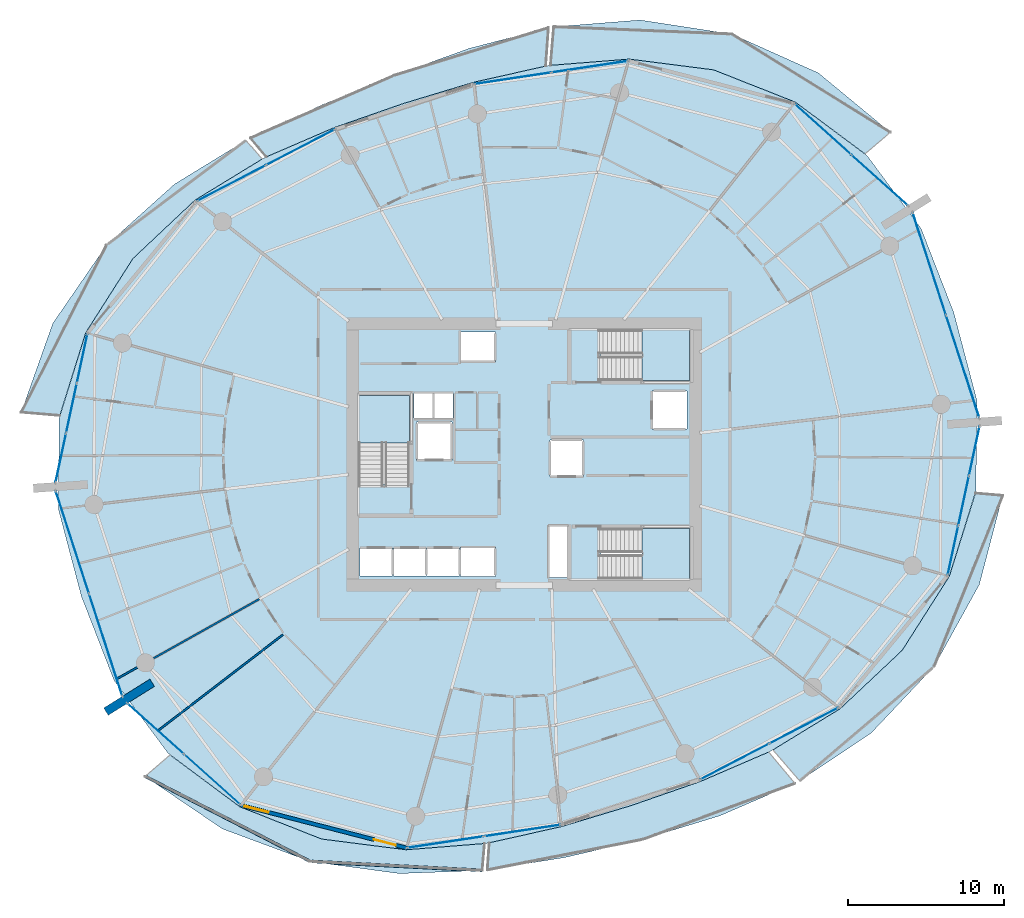
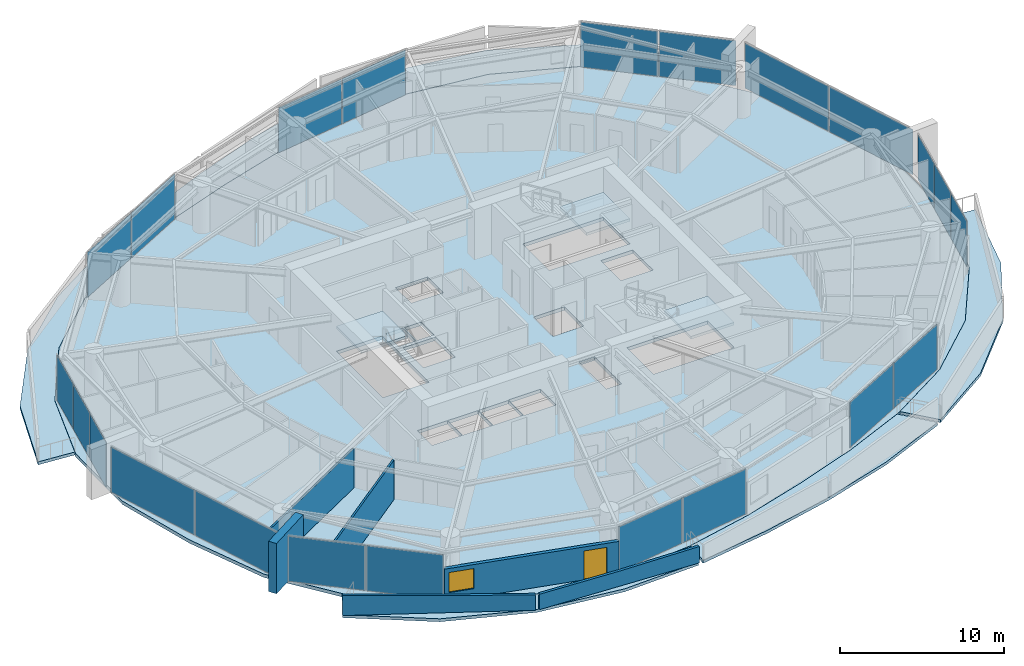
# One storey, part 10 of 23: 22 plates, 10 slabs, 6 walls, 1 door, 1 window, 2 openings, 13 elements without a shape of their own.
"""IFC4 building model written with IfcOpenShell, lengths in metres."""

from ifc_helpers import new_model, si_unit, direction, frame, frame_2d, origin, origin_2d, place, context, subcontext, project, spatial, polyline, rectangle, outline, extrude, material, layer, layer_set, type_object, element, fill, aggregate, save


model = new_model("IFC4")

# Units and contexts
model_context = context("Model", 3, precision=1e-05, world=origin(), true_north=direction((0.0, 1.0)))
body_context = subcontext(model_context, "Body", "Model", "MODEL_VIEW")
ifc_project = project(units=[si_unit("LENGTHUNIT", "METRE"), si_unit("AREAUNIT", "SQUARE_METRE"), si_unit("VOLUMEUNIT", "CUBIC_METRE"), si_unit("PLANEANGLEUNIT", "RADIAN"), si_unit("MASSUNIT", "GRAM", prefix="KILO")], contexts=[model_context])

# Site, building, storey
site_placement = place(None, origin())
site = spatial("IfcSite", under=ifc_project, at=site_placement, CompositionType="ELEMENT")
building_placement = place(site_placement, origin())
building = spatial("IfcBuilding", under=site, at=building_placement, Name="Kazma Halo Residences", CompositionType="ELEMENT")
storey_placement = place(building_placement, frame((0.0, 0.0, 97.64990234375)))
storey = spatial("IfcBuildingStorey", under=building, at=storey_placement, Name="L24", CompositionType="ELEMENT", Elevation=97.64990234375)

# Curtain wall, plates
ifc_material_1 = material(Name="Aluminium AW-6063 T6 and Triple-Silver Low-E Glass", Category="aluminium")
ifc_layer_1 = layer(ifc_material_1, 0.199951171875)
ifc_layer_set_1 = layer_set([ifc_layer_1], Name="Aluminium AW-6063 T6 and Triple-Silver Low-E Glass")
curtain_wall_type = type_object("IfcCurtainWallType", Name="CW-SYS-3", PredefinedType="NOTDEFINED", material=ifc_layer_set_1)
curtain_wall_1_placement = place(storey_placement, origin())
curtain_wall_1 = element("IfcCurtainWall", 1, at=curtain_wall_1_placement, inside=storey, type_object=curtain_wall_type, Name="L24 unitised curtain wall B01", PredefinedType="NOTDEFINED")
ifc_material_2 = material(Name="Clear Triple-Silver Low-E Glass IGU", Category="glass")
ifc_layer_2 = layer(ifc_material_2, 0.030029296875)
ifc_layer_set_2 = layer_set([ifc_layer_2], Name="Clear Triple-Silver Low-E Glass IGU")
plate_type = type_object("IfcPlateType", Name="CW-SYS-3-PNL", PredefinedType="CURTAIN_PANEL", material=ifc_layer_set_2)
plate_1_placement = place(storey_placement, frame((71.251220703125, 59.614013671875, 0.06982421875), z_axis=(0.0, 0.0, 1.0), x_axis=(-0.744345279359, 0.667794957375, 0.0)))
plate_1 = element("IfcPlate", 2, at=plate_1_placement, type_object=plate_type, Name="CWS-3 panel 1.1", PredefinedType="CURTAIN_PANEL", context=body_context, shape_type="SweptSolid", body=[
    extrude(rectangle(XDim=4.81982421875, YDim=0.030029296875, at=origin_2d()), origin(), (0.0, 0.0, 1.0), 3.360107421875),
])
plate_2_placement = place(storey_placement, frame((67.611572265625, 62.87939453125, 0.06982421875), z_axis=(0.0, 0.0, 1.0), x_axis=(-0.744345279359, 0.667794957375, 0.0)))
plate_2 = element("IfcPlate", 3, at=plate_2_placement, type_object=plate_type, Name="CWS-3 panel 2.1", PredefinedType="CURTAIN_PANEL", context=body_context, shape_type="SweptSolid", body=[
    extrude(rectangle(XDim=4.81982421875, YDim=0.030029296875, at=origin_2d()), origin(), (0.0, 0.0, 1.0), 3.360107421875),
])
aggregate(curtain_wall_1, [plate_1, plate_2])

curtain_wall_2_placement = place(storey_placement, origin())
curtain_wall_2 = element("IfcCurtainWall", 4, at=curtain_wall_2_placement, inside=storey, type_object=curtain_wall_type, Name="L24 unitised curtain wall B03", PredefinedType="NOTDEFINED")
plate_3_placement = place(storey_placement, frame((52.625732421875, 66.900390625, 0.06982421875), z_axis=(0.0, 0.0, 1.0), x_axis=(-0.988879747814, -0.148717330409, 0.0)))
plate_3 = element("IfcPlate", 5, at=plate_3_placement, type_object=plate_type, Name="CWS-3 panel 1.1", PredefinedType="CURTAIN_PANEL", context=body_context, shape_type="SweptSolid", body=[
    extrude(rectangle(XDim=4.922607421875, YDim=0.030029296875, at=origin_2d()), origin(), (0.0, 0.0, 1.0), 3.360107421875),
])
plate_4_placement = place(storey_placement, frame((47.6884765625, 66.157958984375, 0.06982421875), z_axis=(0.0, 0.0, 1.0), x_axis=(-0.988879747814, -0.148717330409, 0.0)))
plate_4 = element("IfcPlate", 6, at=plate_4_placement, type_object=plate_type, Name="CWS-3 panel 2.1", PredefinedType="CURTAIN_PANEL", context=body_context, shape_type="SweptSolid", body=[
    extrude(rectangle(XDim=4.922607421875, YDim=0.030029296875, at=origin_2d()), origin(), (0.0, 0.0, 1.0), 3.360107421875),
])
aggregate(curtain_wall_2, [plate_3, plate_4])

curtain_wall_3_placement = place(storey_placement, origin())
curtain_wall_3 = element("IfcCurtainWall", 7, at=curtain_wall_3_placement, inside=storey, type_object=curtain_wall_type, Name="L24 unitised curtain wall B05", PredefinedType="NOTDEFINED")
plate_5_placement = place(storey_placement, frame((34.052490234375, 61.727294921875, 0.06982421875), z_axis=(0.0, 0.0, 1.0), x_axis=(-0.887435374749, -0.460932159481, 0.0)))
plate_5 = element("IfcPlate", 8, at=plate_5_placement, type_object=plate_type, Name="CWS-3 panel 1.1", PredefinedType="CURTAIN_PANEL", context=body_context, shape_type="SweptSolid", body=[
    extrude(rectangle(XDim=4.9228515625, YDim=0.030029296875, at=origin_2d()), origin(), (0.0, 0.0, 1.0), 3.360107421875),
])
plate_6_placement = place(storey_placement, frame((29.62158203125, 59.426025390625, 0.06982421875), z_axis=(0.0, 0.0, 1.0), x_axis=(-0.887435374749, -0.460932159481, 0.0)))
plate_6 = element("IfcPlate", 9, at=plate_6_placement, type_object=plate_type, Name="CWS-3 panel 2.1", PredefinedType="CURTAIN_PANEL", context=body_context, shape_type="SweptSolid", body=[
    extrude(rectangle(XDim=4.9228515625, YDim=0.030029296875, at=origin_2d()), origin(), (0.0, 0.0, 1.0), 3.360107421875),
])
aggregate(curtain_wall_3, [plate_5, plate_6])

curtain_wall_4_placement = place(storey_placement, origin())
curtain_wall_4 = element("IfcCurtainWall", 10, at=curtain_wall_4_placement, inside=storey, type_object=curtain_wall_type, Name="L24 unitised curtain wall B07", PredefinedType="NOTDEFINED")
plate_7_placement = place(storey_placement, frame((20.033447265625, 48.1669921875, 0.06982421875), z_axis=(0.0, 0.0, 1.0), x_axis=(-0.209660822677, -0.977774176093, 0.0)))
plate_7 = element("IfcPlate", 11, at=plate_7_placement, type_object=plate_type, Name="CWS-3 panel 1.1", PredefinedType="CURTAIN_PANEL", context=body_context, shape_type="SweptSolid", body=[
    extrude(rectangle(XDim=3.17822265625, YDim=0.030029296875, at=origin_2d()), origin(), (0.0, 0.0, 1.0), 3.360107421875),
])
plate_8_placement = place(storey_placement, frame((19.3486328125, 44.973876953125, 0.06982421875), z_axis=(0.0, 0.0, 1.0), x_axis=(-0.209660822677, -0.977774176093, 0.0)))
plate_8 = element("IfcPlate", 12, at=plate_8_placement, type_object=plate_type, Name="CWS-3 panel 2.1", PredefinedType="CURTAIN_PANEL", context=body_context, shape_type="SweptSolid", body=[
    extrude(rectangle(XDim=3.213134765625, YDim=0.030029296875, at=origin_2d()), origin(), (0.0, 0.0, 1.0), 3.360107421875),
])
plate_9_placement = place(storey_placement, frame((18.6640625, 41.78076171875, 0.06982421875), z_axis=(0.0, 0.0, 1.0), x_axis=(-0.209660822677, -0.977774176093, 0.0)))
plate_9 = element("IfcPlate", 13, at=plate_9_placement, type_object=plate_type, Name="CWS-3 panel 3.1", PredefinedType="CURTAIN_PANEL", context=body_context, shape_type="SweptSolid", body=[
    extrude(rectangle(XDim=3.17822265625, YDim=0.030029296875, at=origin_2d()), origin(), (0.0, 0.0, 1.0), 3.360107421875),
])
aggregate(curtain_wall_4, [plate_7, plate_8, plate_9])

curtain_wall_5_placement = place(storey_placement, origin())
curtain_wall_5 = element("IfcCurtainWall", 14, at=curtain_wall_5_placement, inside=storey, type_object=curtain_wall_type, Name="L24 unitised curtain wall B08", PredefinedType="NOTDEFINED")
plate_10_placement = place(storey_placement, frame((19.40673828125, 36.357421875, 0.06982421875), z_axis=(0.0, 0.0, 1.0), x_axis=(0.309013282008, -0.951057722508, 0.0)))
plate_10 = element("IfcPlate", 15, at=plate_10_placement, type_object=plate_type, Name="CWS-3 panel 1.1", PredefinedType="CURTAIN_PANEL", context=body_context, shape_type="SweptSolid", body=[
    extrude(rectangle(XDim=6.868896484375, YDim=0.030029296875, at=origin_2d()), origin(), (0.0, 0.0, 1.0), 3.360107421875),
])
plate_11_placement = place(storey_placement, frame((21.551025390625, 29.758056640625, 0.06982421875), z_axis=(0.0, 0.0, 1.0), x_axis=(0.309013282008, -0.951057722508, 0.0)))
plate_11 = element("IfcPlate", 16, at=plate_11_placement, type_object=plate_type, Name="CWS-3 panel 2.1", PredefinedType="CURTAIN_PANEL", context=body_context, shape_type="SweptSolid", body=[
    extrude(rectangle(XDim=6.868896484375, YDim=0.030029296875, at=origin_2d()), origin(), (0.0, 0.0, 1.0), 3.360107421875),
])
aggregate(curtain_wall_5, [plate_10, plate_11])

curtain_wall_6_placement = place(storey_placement, origin())
curtain_wall_6 = element("IfcCurtainWall", 17, at=curtain_wall_6_placement, inside=storey, type_object=curtain_wall_type, Name="L24 unitised curtain wall B09", PredefinedType="NOTDEFINED")
plate_12_placement = place(storey_placement, frame((24.748779296875, 24.385986328125, 0.06982421875), z_axis=(0.0, 0.0, 1.0), x_axis=(0.744345279359, -0.667794957375, 0.0)))
plate_12 = element("IfcPlate", 18, at=plate_12_placement, type_object=plate_type, Name="CWS-3 panel 1.1", PredefinedType="CURTAIN_PANEL", context=body_context, shape_type="SweptSolid", body=[
    extrude(rectangle(XDim=4.81982421875, YDim=0.030029296875, at=origin_2d()), origin(), (0.0, 0.0, 1.0), 3.360107421875),
])
plate_13_placement = place(storey_placement, frame((28.388427734375, 21.12060546875, 0.06982421875), z_axis=(0.0, 0.0, 1.0), x_axis=(0.744345279359, -0.667794957375, 0.0)))
plate_13 = element("IfcPlate", 19, at=plate_13_placement, type_object=plate_type, Name="CWS-3 panel 2.1", PredefinedType="CURTAIN_PANEL", context=body_context, shape_type="SweptSolid", body=[
    extrude(rectangle(XDim=4.81982421875, YDim=0.030029296875, at=origin_2d()), origin(), (0.0, 0.0, 1.0), 3.360107421875),
])
aggregate(curtain_wall_6, [plate_12, plate_13])

curtain_wall_7_placement = place(storey_placement, origin())
curtain_wall_7 = element("IfcCurtainWall", 20, at=curtain_wall_7_placement, inside=storey, type_object=curtain_wall_type, Name="L24 unitised curtain wall B11", PredefinedType="NOTDEFINED")
plate_14_placement = place(storey_placement, frame((43.374267578125, 17.099609375, 0.06982421875), z_axis=(0.0, 0.0, 1.0), x_axis=(0.988879747814, 0.148717330409, 0.0)))
plate_14 = element("IfcPlate", 21, at=plate_14_placement, type_object=plate_type, Name="CWS-3 panel 1.1", PredefinedType="CURTAIN_PANEL", context=body_context, shape_type="SweptSolid", body=[
    extrude(rectangle(XDim=4.922607421875, YDim=0.030029296875, at=origin_2d()), origin(), (0.0, 0.0, 1.0), 3.360107421875),
])
plate_15_placement = place(storey_placement, frame((48.3115234375, 17.842041015625, 0.06982421875), z_axis=(0.0, 0.0, 1.0), x_axis=(0.988879747814, 0.148717330409, 0.0)))
plate_15 = element("IfcPlate", 22, at=plate_15_placement, type_object=plate_type, Name="CWS-3 panel 2.1", PredefinedType="CURTAIN_PANEL", context=body_context, shape_type="SweptSolid", body=[
    extrude(rectangle(XDim=4.922607421875, YDim=0.030029296875, at=origin_2d()), origin(), (0.0, 0.0, 1.0), 3.360107421875),
])
aggregate(curtain_wall_7, [plate_14, plate_15])

curtain_wall_8_placement = place(storey_placement, origin())
curtain_wall_8 = element("IfcCurtainWall", 23, at=curtain_wall_8_placement, inside=storey, type_object=curtain_wall_type, Name="L24 unitised curtain wall B13", PredefinedType="NOTDEFINED")
plate_16_placement = place(storey_placement, frame((61.947509765625, 22.272705078125, 0.06982421875), z_axis=(0.0, 0.0, 1.0), x_axis=(0.887435374749, 0.460932159481, 0.0)))
plate_16 = element("IfcPlate", 24, at=plate_16_placement, type_object=plate_type, Name="CWS-3 panel 1.1", PredefinedType="CURTAIN_PANEL", context=body_context, shape_type="SweptSolid", body=[
    extrude(rectangle(XDim=4.9228515625, YDim=0.030029296875, at=origin_2d()), origin(), (0.0, 0.0, 1.0), 3.360107421875),
])
plate_17_placement = place(storey_placement, frame((66.37841796875, 24.573974609375, 0.06982421875), z_axis=(0.0, 0.0, 1.0), x_axis=(0.887435374749, 0.460932159481, 0.0)))
plate_17 = element("IfcPlate", 25, at=plate_17_placement, type_object=plate_type, Name="CWS-3 panel 2.1", PredefinedType="CURTAIN_PANEL", context=body_context, shape_type="SweptSolid", body=[
    extrude(rectangle(XDim=4.9228515625, YDim=0.030029296875, at=origin_2d()), origin(), (0.0, 0.0, 1.0), 3.360107421875),
])
aggregate(curtain_wall_8, [plate_16, plate_17])

curtain_wall_9_placement = place(storey_placement, origin())
curtain_wall_9 = element("IfcCurtainWall", 26, at=curtain_wall_9_placement, inside=storey, type_object=curtain_wall_type, Name="L24 unitised curtain wall B15", PredefinedType="NOTDEFINED")
plate_18_placement = place(storey_placement, frame((75.966552734375, 35.8330078125, 0.06982421875), z_axis=(0.0, 0.0, 1.0), x_axis=(0.209660822677, 0.977774176093, 0.0)))
plate_18 = element("IfcPlate", 27, at=plate_18_placement, type_object=plate_type, Name="CWS-3 panel 1.1", PredefinedType="CURTAIN_PANEL", context=body_context, shape_type="SweptSolid", body=[
    extrude(rectangle(XDim=3.17822265625, YDim=0.030029296875, at=origin_2d()), origin(), (0.0, 0.0, 1.0), 3.360107421875),
])
plate_19_placement = place(storey_placement, frame((76.6513671875, 39.026123046875, 0.06982421875), z_axis=(0.0, 0.0, 1.0), x_axis=(0.209660822677, 0.977774176093, 0.0)))
plate_19 = element("IfcPlate", 28, at=plate_19_placement, type_object=plate_type, Name="CWS-3 panel 2.1", PredefinedType="CURTAIN_PANEL", context=body_context, shape_type="SweptSolid", body=[
    extrude(rectangle(XDim=3.213134765625, YDim=0.030029296875, at=origin_2d()), origin(), (0.0, 0.0, 1.0), 3.360107421875),
])
plate_20_placement = place(storey_placement, frame((77.3359375, 42.21923828125, 0.06982421875), z_axis=(0.0, 0.0, 1.0), x_axis=(0.209660822677, 0.977774176093, 0.0)))
plate_20 = element("IfcPlate", 29, at=plate_20_placement, type_object=plate_type, Name="CWS-3 panel 3.1", PredefinedType="CURTAIN_PANEL", context=body_context, shape_type="SweptSolid", body=[
    extrude(rectangle(XDim=3.17822265625, YDim=0.030029296875, at=origin_2d()), origin(), (0.0, 0.0, 1.0), 3.360107421875),
])
aggregate(curtain_wall_9, [plate_18, plate_19, plate_20])

curtain_wall_10_placement = place(storey_placement, origin())
curtain_wall_10 = element("IfcCurtainWall", 30, at=curtain_wall_10_placement, inside=storey, type_object=curtain_wall_type, Name="L24 unitised curtain wall B16", PredefinedType="NOTDEFINED")
plate_21_placement = place(storey_placement, frame((76.59326171875, 47.642578125, 0.06982421875), z_axis=(0.0, 0.0, 1.0), x_axis=(-0.309013282008, 0.951057722508, 0.0)))
plate_21 = element("IfcPlate", 31, at=plate_21_placement, type_object=plate_type, Name="CWS-3 panel 1.1", PredefinedType="CURTAIN_PANEL", context=body_context, shape_type="SweptSolid", body=[
    extrude(rectangle(XDim=6.868896484375, YDim=0.030029296875, at=origin_2d()), origin(), (0.0, 0.0, 1.0), 3.360107421875),
])
plate_22_placement = place(storey_placement, frame((74.448974609375, 54.241943359375, 0.06982421875), z_axis=(0.0, 0.0, 1.0), x_axis=(-0.309013282008, 0.951057722508, 0.0)))
plate_22 = element("IfcPlate", 32, at=plate_22_placement, type_object=plate_type, Name="CWS-3 panel 2.1", PredefinedType="CURTAIN_PANEL", context=body_context, shape_type="SweptSolid", body=[
    extrude(rectangle(XDim=6.868896484375, YDim=0.030029296875, at=origin_2d()), origin(), (0.0, 0.0, 1.0), 3.360107421875),
])
aggregate(curtain_wall_10, [plate_21, plate_22])

# Slabs
ifc_material_3 = material(Name="White Concrete C50/60", Category="concrete")
ifc_layer_3 = layer(ifc_material_3, 0.219970703125)
ifc_layer_set_3 = layer_set([ifc_layer_3], Name="White Concrete C50/60")
slab_type_1 = type_object("IfcSlabType", Name="SLB-BAL-WAVE-210", PredefinedType="FLOOR", material=ifc_layer_set_3)
slab_1_placement = place(storey_placement, frame((0.0, 0.0, -0.219970703125)))
element("IfcSlab", 33, at=slab_1_placement, inside=storey, type_object=slab_type_1, Name="L24 NE cantilevered wave balcony slab", PredefinedType="FLOOR", context=body_context, shape_type="SweptSolid", body=[
    extrude(outline(polyline([(70.323974609375, 61.303466796875), (65.841064453125, 64.63134765625), (60.5869140625, 66.702880859375), (55.161865234375, 67.394287109375), (50.12060546875, 66.992431640625), (50.330810546875, 69.4677734375), (55.869873046875, 69.904296875), (61.75732421875, 69.000244140625), (67.31884765625, 66.505859375), (71.934814453125, 62.696533203125), (70.323974609375, 61.303466796875)])), origin(), (0.0, 0.0, 1.0), 0.219970703125),
])
slab_2_placement = place(storey_placement, frame((0.0, 0.0, -0.219970703125)))
element("IfcSlab", 34, at=slab_2_placement, inside=storey, type_object=slab_type_1, Name="L24 NNW cantilevered wave balcony slab", PredefinedType="FLOOR", context=body_context, shape_type="SweptSolid", body=[
    extrude(outline(polyline([(49.81005859375, 66.94580078125), (45.1708984375, 65.902587890625), (40.675048828125, 64.544189453125), (36.239013671875, 63.00048828125), (31.872802734375, 61.11767578125), (30.8505859375, 62.329345703125), (35.42529296875, 64.453857421875), (40.088134765625, 66.35009765625), (44.912353515625, 68.0869140625), (49.988525390625, 69.405517578125), (49.81005859375, 66.94580078125)])), origin(), (0.0, 0.0, 1.0), 0.219970703125),
])
slab_3_placement = place(storey_placement, frame((0.0, 0.0, -0.219970703125)))
element("IfcSlab", 35, at=slab_3_placement, inside=storey, type_object=slab_type_1, Name="L24 NW cantilevered wave balcony slab", PredefinedType="FLOOR", context=body_context, shape_type="SweptSolid", body=[
    extrude(outline(polyline([(31.59423828125, 60.972900390625), (27.279541015625, 58.334716796875), (23.297119140625, 54.5869140625), (20.263916015625, 49.822509765625), (18.59326171875, 44.4951171875), (16.12109375, 44.705078125), (18.14697265625, 50.41943359375), (21.60498046875, 55.448974609375), (25.971435546875, 59.365966796875), (30.55419921875, 62.17529296875), (31.59423828125, 60.972900390625)])), origin(), (0.0, 0.0, 1.0), 0.219970703125),
])
slab_4_placement = place(storey_placement, frame((0.0, 0.0, -0.219970703125)))
element("IfcSlab", 36, at=slab_4_placement, inside=storey, type_object=slab_type_1, Name="L24 SW cantilevered wave balcony slab", PredefinedType="FLOOR", context=body_context, shape_type="SweptSolid", body=[
    extrude(outline(polyline([(25.676025390625, 22.696533203125), (30.158935546875, 19.36865234375), (35.4130859375, 17.297119140625), (40.838134765625, 16.605712890625), (45.87939453125, 17.007568359375), (45.732666015625, 15.2783203125), (40.406982421875, 15.077392578125), (34.678955078125, 15.855712890625), (29.038818359375, 17.947998046875), (24.07958984375, 21.31591796875), (25.676025390625, 22.696533203125)])), origin(), (0.0, 0.0, 1.0), 0.219970703125),
])
slab_5_placement = place(storey_placement, frame((0.0, 0.0, -0.219970703125)))
element("IfcSlab", 37, at=slab_5_placement, inside=storey, type_object=slab_type_1, Name="L24 SSE cantilevered wave balcony slab", PredefinedType="FLOOR", context=body_context, shape_type="SweptSolid", body=[
    extrude(outline(polyline([(46.18994140625, 17.05419921875), (50.8291015625, 18.097412109375), (55.324951171875, 19.455810546875), (59.760986328125, 20.99951171875), (64.127197265625, 22.88232421875), (65.819580078125, 20.875732421875), (60.997314453125, 18.791748046875), (56.034912109375, 17.271240234375), (51.063720703125, 16.11474609375), (46.063720703125, 15.314453125), (46.18994140625, 17.05419921875)])), origin(), (0.0, 0.0, 1.0), 0.219970703125),
])
slab_6_placement = place(storey_placement, frame((0.0, 0.0, -0.219970703125)))
element("IfcSlab", 38, at=slab_6_placement, inside=storey, type_object=slab_type_1, Name="L24 SE cantilevered wave balcony slab", PredefinedType="FLOOR", context=body_context, shape_type="SweptSolid", body=[
    extrude(outline(polyline([(64.40576171875, 23.027099609375), (68.720458984375, 25.665283203125), (72.702880859375, 29.4130859375), (75.736083984375, 34.177490234375), (77.40673828125, 39.5048828125), (79.15966796875, 39.356201171875), (77.65771484375, 33.6357421875), (74.74951171875, 28.370361328125), (70.707763671875, 24.0986328125), (66.125732421875, 21.0380859375), (64.40576171875, 23.027099609375)])), origin(), (0.0, 0.0, 1.0), 0.219970703125),
])
ifc_material_4 = material(Name="Concrete C50/60", Category="concrete")
ifc_layer_4 = layer(ifc_material_4, 0.25)
ifc_layer_set_4 = layer_set([ifc_layer_4], Name="Concrete C50/60")
slab_type_2 = type_object("IfcSlabType", Name="SLB-RES-250", PredefinedType="FLOOR", material=ifc_layer_set_4)
slab_7_placement = place(storey_placement, frame((0.0, 0.0, -0.25)))
element("IfcSlab", 39, at=slab_7_placement, inside=storey, type_object=slab_type_2, Name="L24 structural floor slab", PredefinedType="FLOOR", context=body_context, shape_type="SweptSolid", body=[
    extrude(outline(polyline([(76.02001953125, 51.104248046875), (73.918212890625, 56.514892578125), (70.459716796875, 61.182373046875), (65.83984375, 64.629638671875), (60.5859375, 66.701171875), (55.161376953125, 67.392333984375), (49.9658203125, 66.976806640625), (45.171142578125, 65.900634765625), (40.675537109375, 64.542236328125), (36.239990234375, 62.998779296875), (31.728759765625, 61.05126953125), (27.281005859375, 58.33349609375), (23.298828125, 54.5859375), (20.265869140625, 49.82177734375), (18.554443359375, 44.3173828125), (18.500244140625, 38.508544921875), (19.97998046875, 32.895751953125), (22.081787109375, 27.485107421875), (25.540283203125, 22.817626953125), (30.16015625, 19.370361328125), (35.4140625, 17.298828125), (40.838623046875, 16.607666015625), (46.0341796875, 17.023193359375), (50.828857421875, 18.099365234375), (55.324462890625, 19.457763671875), (59.760009765625, 21.001220703125), (64.271240234375, 22.94873046875), (68.718994140625, 25.66650390625), (72.701171875, 29.4140625), (75.734130859375, 34.17822265625), (77.445556640625, 39.6826171875), (77.499755859375, 45.491455078125), (76.02001953125, 51.104248046875)]), holes=[polyline([(37.800048828125, 40.110107421875), (41.050048828125, 40.110107421875), (41.050048828125, 45.800048828125), (37.800048828125, 45.800048828125), (37.800048828125, 40.110107421875)]), polyline([(53.360107421875, 46.75), (59.050048828125, 46.75), (59.050048828125, 50.0), (53.360107421875, 50.0), (53.360107421875, 46.75)]), polyline([(53.360107421875, 34.0), (59.050048828125, 34.0), (59.050048828125, 37.25), (53.360107421875, 37.25), (53.360107421875, 34.0)]), polyline([(41.52001953125, 41.6201171875), (43.780029296875, 41.6201171875), (43.780029296875, 44.080078125), (41.52001953125, 44.080078125), (41.52001953125, 41.6201171875)]), polyline([(56.6201171875, 43.6201171875), (58.8798828125, 43.6201171875), (58.8798828125, 46.080078125), (56.6201171875, 46.080078125), (56.6201171875, 43.6201171875)]), polyline([(37.864990234375, 34.195068359375), (39.97509765625, 34.195068359375), (39.97509765625, 36.0048828125), (37.864990234375, 36.0048828125), (37.864990234375, 34.195068359375)]), polyline([(40.014892578125, 34.195068359375), (42.125, 34.195068359375), (42.125, 36.0048828125), (40.014892578125, 36.0048828125), (40.014892578125, 34.195068359375)]), polyline([(42.1650390625, 34.195068359375), (44.27490234375, 34.195068359375), (44.27490234375, 36.0048828125), (42.1650390625, 36.0048828125), (42.1650390625, 34.195068359375)]), polyline([(44.320068359375, 47.945068359375), (46.580078125, 47.945068359375), (46.580078125, 49.85498046875), (44.320068359375, 49.85498046875), (44.320068359375, 47.945068359375)]), polyline([(44.320068359375, 34.14501953125), (46.580078125, 34.14501953125), (46.580078125, 36.054931640625), (44.320068359375, 36.054931640625), (44.320068359375, 34.14501953125)]), polyline([(50.070068359375, 40.570068359375), (52.22998046875, 40.570068359375), (52.22998046875, 42.929931640625), (50.070068359375, 42.929931640625), (50.070068359375, 40.570068359375)]), polyline([(41.360107421875, 44.340087890625), (42.5400390625, 44.340087890625), (42.5400390625, 45.89990234375), (41.360107421875, 45.89990234375), (41.360107421875, 44.340087890625)]), polyline([(42.659912109375, 44.340087890625), (43.840087890625, 44.340087890625), (43.840087890625, 45.89990234375), (42.659912109375, 45.89990234375), (42.659912109375, 44.340087890625)]), polyline([(50.06005859375, 34.080078125), (51.159912109375, 34.080078125), (51.159912109375, 37.3798828125), (50.06005859375, 37.3798828125), (50.06005859375, 34.080078125)])]), origin(), (0.0, 0.0, 1.0), 0.25),
])

# Stair, slab
stair_type = type_object("IfcStairType", Name="STR-RES1", PredefinedType="HALF_TURN_STAIR", material=ifc_material_4)
stair_1_placement = place(storey_placement, origin())
stair_1 = element("IfcStair", 40, at=stair_1_placement, inside=storey, type_object=stair_type, Name="L24 Core exit stair ST-01", PredefinedType="HALF_TURN_STAIR")
ifc_layer_5 = layer(ifc_material_4, 0.199951171875)
ifc_layer_set_5 = layer_set([ifc_layer_5], Name="Concrete C50/60")
slab_type_3 = type_object("IfcSlabType", Name="SLB-STAIR-LND-200", PredefinedType="LANDING", material=ifc_layer_set_5)
slab_8_placement = place(storey_placement, frame((0.0, 0.0, 1.675048828125)))
slab_8 = element("IfcSlab", 41, at=slab_8_placement, type_object=slab_type_3, Name="ST-01 landing 1", PredefinedType="LANDING", context=body_context, shape_type="SweptSolid", body=[
    extrude(outline(polyline([(41.050048828125, 42.75), (41.050048828125, 45.800048828125), (37.800048828125, 45.800048828125), (37.800048828125, 42.75), (41.050048828125, 42.75)])), origin(), (0.0, 0.0, 1.0), 0.199951171875),
])
aggregate(stair_1, [slab_8])

stair_2_placement = place(storey_placement, origin())
stair_2 = element("IfcStair", 42, at=stair_2_placement, inside=storey, type_object=stair_type, Name="L24 Core exit stair ST-02", PredefinedType="HALF_TURN_STAIR")
slab_9_placement = place(storey_placement, frame((0.0, 0.0, 1.675048828125)))
slab_9 = element("IfcSlab", 43, at=slab_9_placement, type_object=slab_type_3, Name="ST-02 landing 1", PredefinedType="LANDING", context=body_context, shape_type="SweptSolid", body=[
    extrude(outline(polyline([(56.0, 46.75), (59.050048828125, 46.75), (59.050048828125, 50.0), (56.0, 50.0), (56.0, 46.75)])), origin(), (0.0, 0.0, 1.0), 0.199951171875),
])
aggregate(stair_2, [slab_9])

stair_3_placement = place(storey_placement, origin())
stair_3 = element("IfcStair", 44, at=stair_3_placement, inside=storey, type_object=stair_type, Name="L24 Core exit stair ST-03", PredefinedType="HALF_TURN_STAIR")
slab_10_placement = place(storey_placement, frame((0.0, 0.0, 1.675048828125)))
slab_10 = element("IfcSlab", 45, at=slab_10_placement, type_object=slab_type_3, Name="ST-03 landing 1", PredefinedType="LANDING", context=body_context, shape_type="SweptSolid", body=[
    extrude(outline(polyline([(56.0, 34.0), (59.050048828125, 34.0), (59.050048828125, 37.25), (56.0, 37.25), (56.0, 34.0)])), origin(), (0.0, 0.0, 1.0), 0.199951171875),
])
aggregate(stair_3, [slab_10])

# Walls
ifc_material_5 = material(Name="White Concrete C50/60 Balustrade", Category="concrete")
ifc_layer_6 = layer(ifc_material_5, 0.179931640625)
ifc_layer_set_6 = layer_set([ifc_layer_6], Name="White Concrete C50/60 Balustrade")
wall_type_1 = type_object("IfcWallType", Name="WL-BAL-WAVE-180", PredefinedType="PARAPET", material=ifc_layer_set_6)
wall_1_placement = place(storey_placement, frame((24.07958984375, 21.31591796875, 0.0), z_axis=(0.0, 0.0, 1.0), x_axis=(0.888984508261, -0.457937270892, 0.0)))
element("IfcWall", 46, at=wall_1_placement, inside=storey, type_object=wall_type_1, Name="L24 white wave balustrade wall SW.1", PredefinedType="PARAPET", context=body_context, shape_type="SweptSolid", body=[
    extrude(outline(polyline([(0.0, 0.0), (11.802978515625, 0.0), (11.802978515625, 1.148193359375), (5.901611328125, 1.2841796875), (0.0, 1.483154296875), (0.0, 0.0)])), frame((0.0, 0.08984375, 0.0), z_axis=(0.0, -1.0, 0.0), x_axis=(1.0, 0.0, 0.0)), (0.0, 0.0, 1.0), 0.179931640625),
])
wall_2_placement = place(storey_placement, frame((34.798583984375, 15.849609375, 0.0), z_axis=(0.0, 0.0, 1.0), x_axis=(0.998637836961, -0.052177299569, 0.0)))
element("IfcWall", 47, at=wall_2_placement, inside=storey, type_object=wall_type_1, Name="L24 white wave balustrade wall SW.2", PredefinedType="PARAPET", context=body_context, shape_type="SweptSolid", body=[
    extrude(outline(polyline([(0.0, 0.0), (10.948974609375, 0.0), (10.94873046875, 1.22412109375), (5.474365234375, 1.127197265625), (0.0, 1.148193359375), (0.0, 0.0)])), frame((0.0, 0.08984375, 0.0), z_axis=(0.0, -1.0, 0.0), x_axis=(1.0, 0.0, 0.0)), (0.0, 0.0, 1.0), 0.179931640625),
])
ifc_material_6 = material(Name="Pale Concrete C60/75", Category="concrete")
ifc_layer_7 = layer(ifc_material_6, 0.550048828125)
ifc_layer_set_7 = layer_set([ifc_layer_7], Name="Pale Concrete C60/75")
wall_type_2 = type_object("IfcWallType", Name="WL-BLADE-550", PredefinedType="SOLIDWALL", material=ifc_layer_set_7)
wall_3_placement = place(storey_placement, frame((24.531494140625, 27.335205078125, 0.0), z_axis=(0.0, 0.0, 1.0), x_axis=(-0.848053161125, -0.529911158502, 0.0)))
element("IfcWall", 48, at=wall_3_placement, inside=storey, type_object=wall_type_2, Name="L24 pale concrete structural blade fin wall BW-03", PredefinedType="SOLIDWALL", context=body_context, shape_type="SweptSolid", body=[
    extrude(rectangle(XDim=3.5, YDim=0.550048828125, at=frame_2d((1.75, 0.0))), origin(), (0.0, 0.0, 1.0), 3.75),
])

# Wall, openings, door, window
ifc_material_7 = material(Name="Insulated Pale-Metal Composite Wall")
ifc_layer_8 = layer(ifc_material_7, 0.239990234375)
ifc_layer_set_8 = layer_set([ifc_layer_8], Name="Insulated Pale-Metal Composite Wall")
wall_type_3 = type_object("IfcWallType", Name="WL-EXT-HOST-240", PredefinedType="SOLIDWALL", material=ifc_layer_set_8)
wall_4_placement = place(storey_placement, frame((30.18603515625, 19.47705078125, 0.0), z_axis=(0.0, 0.0, 1.0), x_axis=(0.968356180858, -0.249572248045, 0.0)))
wall_4 = element("IfcWall", 49, at=wall_4_placement, inside=storey, type_object=wall_type_3, Name="L24 exterior terrace-access wall B10", PredefinedType="SOLIDWALL", context=body_context, shape_type="SweptSolid", body=[
    extrude(rectangle(XDim=11.08447265625, YDim=0.239990234375, at=frame_2d((5.542236328125, 0.0))), origin(), (0.0, 0.0, 1.0), 2.4501953125),
])
opening_1_placement = place(wall_4_placement, frame((8.864501953125, 0.0, 0.0)))
opening_1 = element("IfcOpeningElement", 50, at=opening_1_placement, cuts=wall_4, Name="Opening DTR-1600", PredefinedType="OPENING", context=body_context, shape_type="SweptSolid", body=[
    extrude(rectangle(XDim=1.449951171875, YDim=2.14990234375, at=frame_2d((0.72509765625, 1.074951171875))), frame((0.0, 0.1298828125, 0.0), z_axis=(0.0, -1.0, 0.0), x_axis=(1.0, 0.0, 0.0)), (0.0, 0.0, 1.0), 0.260009765625),
])
opening_2_placement = place(wall_4_placement, frame((0.280029296875, 0.0, 0.64990234375)))
opening_2 = element("IfcOpeningElement", 51, at=opening_2_placement, cuts=wall_4, Name="Opening W-1800", PredefinedType="OPENING", context=body_context, shape_type="SweptSolid", body=[
    extrude(rectangle(XDim=1.60009765625, YDim=1.5, at=frame_2d((0.800048828125, 0.75))), frame((0.0, 0.1298828125, 0.0), z_axis=(0.0, -1.0, 0.0), x_axis=(1.0, 0.0, 0.0)), (0.0, 0.0, 1.0), 0.260009765625),
])
ifc_material_8 = material(Name="Aluminium AW-6063 T6 Double-Glazed Terrace Door", Category="aluminium")
door_type = type_object("IfcDoorType", Name="DR-EXT-TERR-1600", OperationType="NOTDEFINED", PredefinedType="DOOR", material=ifc_material_8)
door_placement = place(opening_1_placement, origin())
door = element("IfcDoor", 52, at=door_placement, inside=storey, type_object=door_type, Name="L24 B10 balcony terrace door", OperationType="DOUBLE_DOOR_SLIDING", OverallHeight=2.14990234375, OverallWidth=1.449951171875, PredefinedType="DOOR", context=body_context, shape_type="SweptSolid", body=[
    extrude(rectangle(XDim=1.449951171875, YDim=2.14990234375, at=frame_2d((0.72509765625, 1.074951171875))), frame((0.0, 0.02490234375, 0.0), z_axis=(0.0, -1.0, 0.0), x_axis=(1.0, 0.0, 0.0)), (0.0, 0.0, 1.0), 0.050048828125),
])
fill(opening_1, door)
ifc_material_9 = material(Name="Clear Triple-Silver Low-E Glass in Aluminium AW-6063 T6 Frame", Category="aluminium")
window_type = type_object("IfcWindowType", Name="WIN-RES-1800", PartitioningType="DOUBLE_PANEL_VERTICAL", PredefinedType="WINDOW", material=ifc_material_9)
window_placement = place(opening_2_placement, origin())
window = element("IfcWindow", 53, at=window_placement, inside=storey, type_object=window_type, Name="L24 B10 apartment window", OverallHeight=1.5, OverallWidth=1.60009765625, PartitioningType="SINGLE_PANEL", PredefinedType="WINDOW", context=body_context, shape_type="SweptSolid", body=[
    extrude(rectangle(XDim=1.60009765625, YDim=1.5, at=frame_2d((0.800048828125, 0.75))), frame((0.0, 0.030029296875, 0.0), z_axis=(0.0, -1.0, 0.0), x_axis=(1.0, 0.0, 0.0)), (0.0, 0.0, 1.0), 0.06005859375),
])
fill(opening_2, window)

# Walls
ifc_material_10 = material(Name="Gypsum Plasterboard Partition")
ifc_layer_9 = layer(ifc_material_10, 0.125)
ifc_layer_set_9 = layer_set([ifc_layer_9], Name="Gypsum Plasterboard Partition")
wall_type_4 = type_object("IfcWallType", Name="WL-PART-125", PredefinedType="PARTITIONING", material=ifc_layer_set_9)
wall_5_placement = place(storey_placement, frame((31.406005859375, 32.706787109375, 0.0), z_axis=(0.0, 0.0, 1.0), x_axis=(-0.872500841978, -0.488612608052, 0.0)))
element("IfcWall", 54, at=wall_5_placement, inside=storey, type_object=wall_type_4, Name="L24 Apartment 1 radial partition 8", PredefinedType="PARTITIONING", context=body_context, shape_type="SweptSolid", body=[
    extrude(rectangle(XDim=10.46044921875, YDim=0.125, at=frame_2d((5.230224609375, 0.0))), origin(), (0.0, 0.0, 1.0), 2.940185546875),
])
wall_6_placement = place(storey_placement, frame((32.92529296875, 30.420166015625, 0.0), z_axis=(0.0, 0.0, 1.0), x_axis=(-0.793033627653, -0.609177860244, 0.0)))
element("IfcWall", 55, at=wall_6_placement, inside=storey, type_object=wall_type_4, Name="L24 Apartment 1 mid-bay wall 8", PredefinedType="PARTITIONING", context=body_context, shape_type="SweptSolid", body=[
    extrude(rectangle(XDim=10.0986328125, YDim=0.125, at=frame_2d((5.04931640625, 0.0))), origin(), (0.0, 0.0, 1.0), 2.940185546875),
])

save(model, "model.ifc")
